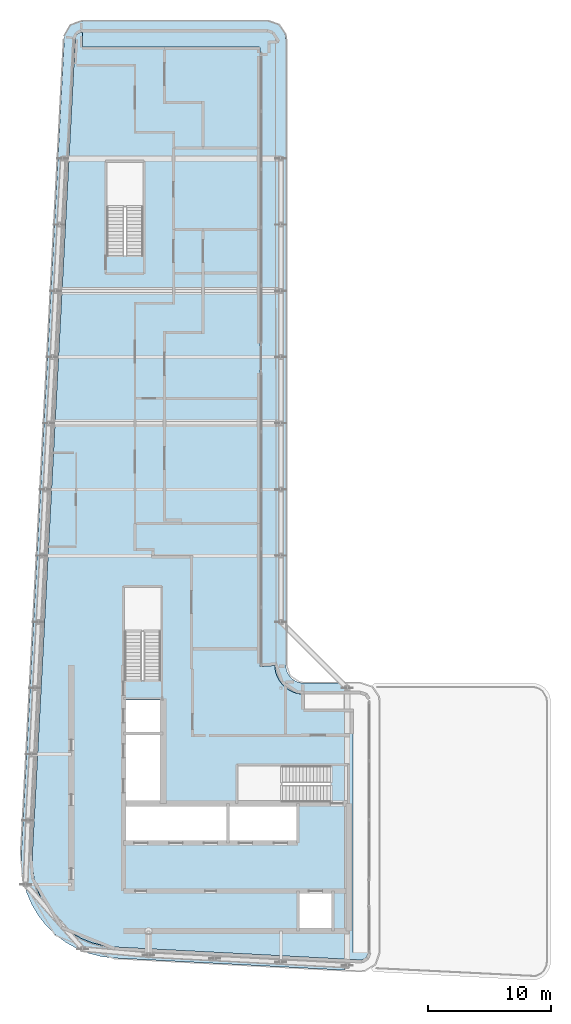
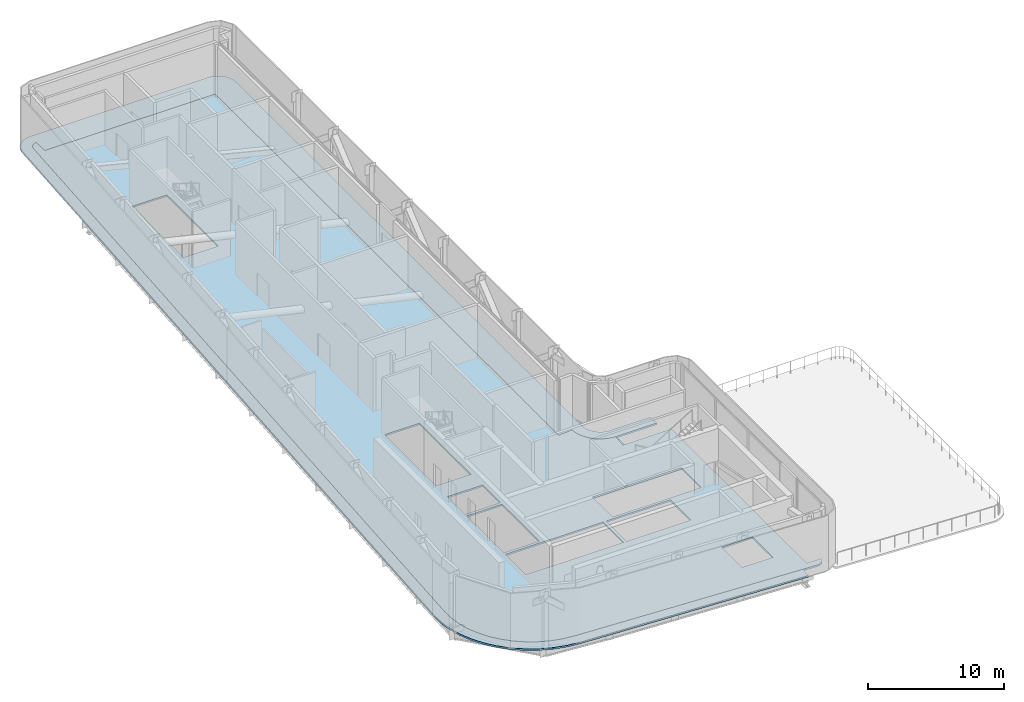
# One storey, part 8 of 18: 2 slabs.
"""IFC4 building model written with IfcOpenShell, lengths in metres."""

from ifc_helpers import new_model, si_unit, direction, frame, origin, place, context, subcontext, project, spatial, polyline, outline, extrude, material, layer, layer_set, type_object, element, save


model = new_model("IFC4")

# Units and contexts
model_context = context("Model", 3, precision=1e-05, world=origin(), true_north=direction((0.0, 1.0)))
body_context = subcontext(model_context, "Body", "Model", "MODEL_VIEW")
ifc_project = project(units=[si_unit("LENGTHUNIT", "METRE"), si_unit("AREAUNIT", "SQUARE_METRE"), si_unit("VOLUMEUNIT", "CUBIC_METRE"), si_unit("PLANEANGLEUNIT", "RADIAN"), si_unit("MASSUNIT", "GRAM", prefix="KILO")], contexts=[model_context])

# Site, building, storey
site_placement = place(None, origin())
site = spatial("IfcSite", under=ifc_project, at=site_placement, CompositionType="ELEMENT")
building_placement = place(site_placement, origin())
building = spatial("IfcBuilding", under=site, at=building_placement, Name="Kheshtan School and Residences Tower", CompositionType="ELEMENT")
storey_placement = place(building_placement, frame((0.0, 0.0, 333.199951171875)))
storey = spatial("IfcBuildingStorey", under=building, at=storey_placement, Name="L78", CompositionType="ELEMENT", Elevation=333.199951171875)

# Slabs
ifc_material = material(Name="Concrete C40/50", Category="concrete")
ifc_layer_1 = layer(ifc_material, 0.14990234375)
ifc_layer_set_1 = layer_set([ifc_layer_1], Name="Floor slab 150 Concrete C40/50")
slab_type_1 = type_object("IfcSlabType", Name="Floor slab 150 Concrete C40/50", PredefinedType="FLOOR", material=ifc_layer_set_1)
slab_1_placement = place(storey_placement, frame((0.0, 0.0, -0.14990234375)))
element("IfcSlab", 1, at=slab_1_placement, inside=storey, type_object=slab_type_1, Name="Floor slab L78", PredefinedType="FLOOR", context=body_context, shape_type="SweptSolid", body=[
    extrude(outline(polyline([(30.85693359375, 98.69189453125), (30.888916015625, 98.77001953125), (30.931884765625, 98.840087890625), (30.98291015625, 98.904052734375), (31.04296875, 98.9619140625), (31.10693359375, 99.008056640625), (31.18310546875, 99.047119140625), (31.260986328125, 99.074951171875), (31.341064453125, 99.092041015625), (31.423095703125, 99.097900390625), (31.423095703125, 97.902099609375), (31.423095703125, 97.90087890625), (31.424072265625, 97.89990234375), (31.425048828125, 97.89990234375), (45.85009765625, 97.89990234375), (45.85498046875, 97.89990234375), (45.860107421875, 97.89892578125), (45.864990234375, 97.89794921875), (45.868896484375, 97.89599609375), (45.8740234375, 97.89404296875), (45.8779296875, 97.89208984375), (45.882080078125, 97.888916015625), (45.885009765625, 97.885009765625), (45.888916015625, 97.882080078125), (45.89208984375, 97.8779296875), (45.89404296875, 97.8740234375), (45.89599609375, 97.868896484375), (45.89794921875, 97.864990234375), (45.89892578125, 97.860107421875), (45.89990234375, 97.85498046875), (45.89990234375, 97.85009765625), (45.89990234375, 97.39990234375), (45.89990234375, 47.501953125), (45.89990234375, 47.5009765625), (45.89990234375, 47.429931640625), (45.905029296875, 47.361083984375), (47.10205078125, 47.43994140625), (47.118896484375, 47.18603515625), (47.179931640625, 46.87890625), (47.281005859375, 46.5810546875), (47.419921875, 46.299072265625), (47.593994140625, 46.0390625), (47.801025390625, 45.801025390625), (48.0390625, 45.593994140625), (48.299072265625, 45.419921875), (48.5810546875, 45.281005859375), (48.87890625, 45.179931640625), (49.18603515625, 45.118896484375), (49.43994140625, 45.10205078125), (49.361083984375, 43.905029296875), (49.429931640625, 43.89990234375), (49.5, 43.89990234375), (49.5, 43.90087890625), (49.5009765625, 43.89990234375), (49.501953125, 43.89990234375), (53.449951171875, 43.89990234375), (53.455078125, 43.89990234375), (53.4599609375, 43.89892578125), (53.465087890625, 43.89794921875), (53.468994140625, 43.89599609375), (53.47412109375, 43.89404296875), (53.47802734375, 43.89208984375), (53.48193359375, 43.888916015625), (53.485107421875, 43.885009765625), (53.489013671875, 43.882080078125), (53.491943359375, 43.8779296875), (53.493896484375, 43.8740234375), (53.49609375, 43.868896484375), (53.498046875, 43.864990234375), (53.4990234375, 43.860107421875), (53.5, 43.85498046875), (53.5, 43.85009765625), (53.5, 24.02490234375), (53.5, 24.02392578125), (53.5009765625, 24.02294921875), (53.501953125, 24.02294921875), (54.697998046875, 24.02294921875), (54.69189453125, 23.943115234375), (54.676025390625, 23.863037109375), (54.64892578125, 23.784912109375), (54.612060546875, 23.712890625), (54.568115234375, 23.64990234375), (54.511962890625, 23.590087890625), (54.448974609375, 23.5380859375), (54.381103515625, 23.4951171875), (54.306884765625, 23.4619140625), (54.22802734375, 23.43896484375), (54.14794921875, 23.427001953125), (54.0439453125, 23.425048828125), (54.0380859375, 23.425048828125), (34.056884765625, 24.47802734375), (33.114990234375, 24.590087890625), (32.215087890625, 24.819091796875), (31.35205078125, 25.1630859375), (30.541015625, 25.616943359375), (29.798095703125, 26.172119140625), (29.134033203125, 26.820068359375), (28.55908203125, 27.550048828125), (28.0849609375, 28.345947265625), (27.718017578125, 29.200927734375), (27.466064453125, 30.093994140625), (27.3330078125, 31.013916015625), (27.320068359375, 31.965087890625), (27.320068359375, 31.970947265625), (30.822021484375, 98.5009765625), (30.822998046875, 98.508056640625), (30.8359375, 98.613037109375), (30.85693359375, 98.69189453125)]), holes=[polyline([(51.72509765625, 28.925048828125), (49.125, 28.925048828125), (49.125, 25.925048828125), (51.72509765625, 25.925048828125), (51.72509765625, 28.925048828125)]), polyline([(43.175048828125, 33.074951171875), (43.175048828125, 36.074951171875), (34.875, 36.074951171875), (34.875, 33.074951171875), (43.175048828125, 33.074951171875)]), polyline([(43.425048828125, 36.074951171875), (43.425048828125, 33.074951171875), (48.875, 33.074951171875), (48.875, 36.074951171875), (43.425048828125, 36.074951171875)]), polyline([(51.64990234375, 37.699951171875), (51.64990234375, 39.25), (44.090087890625, 39.25), (44.090087890625, 36.300048828125), (51.639892578125, 36.300048828125), (51.639892578125, 37.699951171875), (51.64990234375, 37.699951171875)]), polyline([(37.875, 41.77490234375), (34.875, 41.77490234375), (34.875, 36.324951171875), (37.875, 36.324951171875), (37.875, 41.77490234375)]), polyline([(37.875, 44.625), (34.875, 44.625), (34.875, 42.02490234375), (37.875, 42.02490234375), (37.875, 44.625)]), polyline([(37.800048828125, 53.81005859375), (34.85009765625, 53.81005859375), (34.85009765625, 46.260009765625), (36.25, 46.260009765625), (36.25, 46.25), (37.800048828125, 46.25), (37.800048828125, 53.81005859375)]), polyline([(36.35009765625, 88.4599609375), (33.39990234375, 88.4599609375), (33.39990234375, 80.909912109375), (34.800048828125, 80.909912109375), (34.800048828125, 80.89990234375), (36.35009765625, 80.89990234375), (36.35009765625, 88.4599609375)])]), origin(), (0.0, 0.0, 1.0), 0.14990234375),
])
ifc_layer_2 = layer(ifc_material, 0.14990234375)
ifc_layer_set_2 = layer_set([ifc_layer_2], Name="Loggia balcony slab 150 Concrete C40/50")
slab_type_2 = type_object("IfcSlabType", Name="Loggia balcony slab 150 Concrete C40/50", PredefinedType="FLOOR", material=ifc_layer_set_2)
slab_2_placement = place(storey_placement, frame((0.0, 0.0, -0.14990234375)))
element("IfcSlab", 2, at=slab_2_placement, inside=storey, type_object=slab_type_2, Name="Loggia balcony slab L78", PredefinedType="FLOOR", context=body_context, shape_type="SweptSolid", body=[
    extrude(outline(polyline([(28.4580078125, 26.222900390625), (28.45703125, 26.222900390625), (27.81494140625, 27.0390625), (27.281005859375, 27.93798828125), (26.867919921875, 28.89990234375), (26.583984375, 29.90087890625), (26.583984375, 29.906982421875), (26.43408203125, 30.943115234375), (26.419921875, 31.989013671875), (29.925048828125, 98.5791015625), (29.930908203125, 98.625), (29.930908203125, 98.6259765625), (29.930908203125, 98.626953125), (29.929931640625, 98.626953125), (29.929931640625, 98.6279296875), (29.928955078125, 98.6279296875), (29.928955078125, 98.62890625), (29.927978515625, 98.62890625), (29.927978515625, 98.6298828125), (29.927001953125, 98.6298828125), (29.927001953125, 98.631103515625), (29.927001953125, 98.632080078125), (29.945068359375, 98.781005859375), (29.945068359375, 98.781982421875), (29.945068359375, 98.782958984375), (29.946044921875, 98.782958984375), (29.946044921875, 98.783935546875), (29.946044921875, 98.784912109375), (29.946044921875, 98.785888671875), (29.947021484375, 98.785888671875), (29.947021484375, 98.787109375), (29.947998046875, 98.787109375), (29.947998046875, 98.7880859375), (29.948974609375, 98.7880859375), (29.949951171875, 98.7880859375), (29.949951171875, 98.7890625), (29.950927734375, 98.7890625), (29.950927734375, 98.7900390625), (29.950927734375, 98.794921875), (30.0029296875, 98.98388671875), (30.083984375, 99.175048828125), (30.18896484375, 99.35302734375), (30.31201171875, 99.508056640625), (30.31298828125, 99.508056640625), (30.31298828125, 99.509033203125), (30.31396484375, 99.509033203125), (30.31396484375, 99.510009765625), (30.31494140625, 99.510009765625), (30.31494140625, 99.510986328125), (30.31591796875, 99.510986328125), (30.31591796875, 99.511962890625), (30.31689453125, 99.511962890625), (30.31689453125, 99.512939453125), (30.318115234375, 99.512939453125), (30.320068359375, 99.512939453125), (30.321044921875, 99.512939453125), (30.321044921875, 99.513916015625), (30.464111328125, 99.656982421875), (30.465087890625, 99.656982421875), (30.468017578125, 99.656982421875), (30.468994140625, 99.656982421875), (30.468994140625, 99.657958984375), (30.469970703125, 99.657958984375), (30.469970703125, 99.658935546875), (30.470947265625, 99.658935546875), (30.470947265625, 99.659912109375), (30.471923828125, 99.659912109375), (30.471923828125, 99.660888671875), (30.472900390625, 99.660888671875), (30.472900390625, 99.662109375), (30.47412109375, 99.662109375), (30.47412109375, 99.6630859375), (30.635986328125, 99.777099609375), (30.820068359375, 99.873046875), (31.008056640625, 99.943115234375), (31.013916015625, 99.943115234375), (31.217041015625, 99.986083984375), (31.423095703125, 100.0), (46.5, 100.0), (46.696044921875, 99.987060546875), (46.887939453125, 99.948974609375), (46.89404296875, 99.948974609375), (47.073974609375, 99.885986328125), (47.241943359375, 99.801025390625), (47.242919921875, 99.801025390625), (47.24609375, 99.801025390625), (47.2470703125, 99.801025390625), (47.2470703125, 99.802001953125), (47.248046875, 99.802001953125), (47.248046875, 99.802978515625), (47.2490234375, 99.802978515625), (47.2509765625, 99.802978515625), (47.251953125, 99.802978515625), (47.251953125, 99.802001953125), (47.2529296875, 99.802001953125), (47.25390625, 99.802001953125), (47.2548828125, 99.802001953125), (47.2548828125, 99.801025390625), (47.256103515625, 99.801025390625), (47.256103515625, 99.800048828125), (47.257080078125, 99.800048828125), (47.257080078125, 99.799072265625), (47.258056640625, 99.799072265625), (47.258056640625, 99.798095703125), (47.259033203125, 99.798095703125), (47.259033203125, 99.797119140625), (47.4130859375, 99.695068359375), (47.4140625, 99.695068359375), (47.4140625, 99.694091796875), (47.4150390625, 99.694091796875), (47.4150390625, 99.693115234375), (47.416015625, 99.693115234375), (47.416015625, 99.69189453125), (47.4169921875, 99.69189453125), (47.41796875, 99.69189453125), (47.41796875, 99.69091796875), (47.4189453125, 99.69091796875), (47.55908203125, 99.570068359375), (47.55908203125, 99.569091796875), (47.56005859375, 99.569091796875), (47.56005859375, 99.568115234375), (47.56103515625, 99.568115234375), (47.56103515625, 99.56689453125), (47.56201171875, 99.56689453125), (47.56298828125, 99.56689453125), (47.56396484375, 99.56689453125), (47.56689453125, 99.56396484375), (47.56689453125, 99.56298828125), (47.56689453125, 99.56201171875), (47.56689453125, 99.56103515625), (47.568115234375, 99.56103515625), (47.568115234375, 99.56005859375), (47.569091796875, 99.56005859375), (47.569091796875, 99.55908203125), (47.570068359375, 99.55908203125), (47.69091796875, 99.4189453125), (47.69091796875, 99.41796875), (47.69189453125, 99.41796875), (47.69189453125, 99.4169921875), (47.69189453125, 99.416015625), (47.693115234375, 99.416015625), (47.693115234375, 99.4150390625), (47.694091796875, 99.4150390625), (47.694091796875, 99.4140625), (47.695068359375, 99.4140625), (47.695068359375, 99.4130859375), (47.799072265625, 99.257080078125), (47.800048828125, 99.257080078125), (47.800048828125, 99.256103515625), (47.801025390625, 99.256103515625), (47.801025390625, 99.2548828125), (47.802001953125, 99.2548828125), (47.802001953125, 99.25390625), (47.802001953125, 99.2529296875), (47.802001953125, 99.251953125), (47.802978515625, 99.251953125), (47.802978515625, 99.2509765625), (47.802978515625, 99.2490234375), (47.802978515625, 99.248046875), (47.802001953125, 99.248046875), (47.802001953125, 99.2470703125), (47.801025390625, 99.2470703125), (47.801025390625, 99.24609375), (47.801025390625, 99.243896484375), (47.801025390625, 99.242919921875), (47.885986328125, 99.073974609375), (47.948974609375, 98.89404296875), (47.948974609375, 98.887939453125), (47.987060546875, 98.696044921875), (48.0, 98.5), (48.0, 47.5), (48.012939453125, 47.303955078125), (48.051025390625, 47.113037109375), (48.051025390625, 47.10791015625), (48.051025390625, 47.10693359375), (48.114013671875, 46.926025390625), (48.200927734375, 46.75), (48.31005859375, 46.5869140625), (48.43310546875, 46.443115234375), (48.43408203125, 46.443115234375), (48.43408203125, 46.44189453125), (48.43505859375, 46.44189453125), (48.43505859375, 46.44091796875), (48.43603515625, 46.44091796875), (48.43603515625, 46.43994140625), (48.43701171875, 46.43994140625), (48.43701171875, 46.43896484375), (48.43798828125, 46.43896484375), (48.43896484375, 46.43896484375), (48.43896484375, 46.43798828125), (48.43896484375, 46.43701171875), (48.43994140625, 46.43701171875), (48.43994140625, 46.43603515625), (48.44091796875, 46.43603515625), (48.44091796875, 46.43505859375), (48.44189453125, 46.43505859375), (48.44189453125, 46.43408203125), (48.443115234375, 46.43408203125), (48.443115234375, 46.43310546875), (48.5869140625, 46.31005859375), (48.75, 46.200927734375), (48.926025390625, 46.114013671875), (49.10693359375, 46.051025390625), (49.10791015625, 46.051025390625), (49.113037109375, 46.051025390625), (49.303955078125, 46.012939453125), (49.5, 46.0), (52.889892578125, 46.0), (52.89111328125, 46.0), (52.89111328125, 45.9990234375), (52.876953125, 45.863037109375), (52.8759765625, 45.837890625), (52.8759765625, 45.662109375), (52.876953125, 45.636962890625), (52.905029296875, 45.363037109375), (52.908935546875, 45.339111328125), (52.945068359375, 45.1669921875), (52.950927734375, 45.14306640625), (52.950927734375, 45.136962890625), (52.950927734375, 45.135986328125), (52.964111328125, 45.10693359375), (52.964111328125, 45.10107421875), (52.964111328125, 45.10009765625), (52.962890625, 45.10009765625), (49.501953125, 45.10009765625), (49.5009765625, 45.10009765625), (49.5009765625, 45.09912109375), (49.5, 45.09912109375), (49.5, 45.097900390625), (49.5, 43.90087890625), (49.5, 43.89990234375), (49.4990234375, 43.89990234375), (49.429931640625, 43.89990234375), (49.362060546875, 43.905029296875), (49.361083984375, 43.905029296875), (49.361083984375, 43.906005859375), (49.43994140625, 45.09912109375), (49.43994140625, 45.10009765625), (49.43994140625, 45.10107421875), (49.43896484375, 45.10107421875), (49.43896484375, 45.10205078125), (49.43798828125, 45.10205078125), (49.43701171875, 45.10205078125), (49.18603515625, 45.118896484375), (48.87890625, 45.179931640625), (48.873046875, 45.179931640625), (48.5810546875, 45.281005859375), (48.299072265625, 45.419921875), (48.0390625, 45.593994140625), (47.805908203125, 45.794921875), (47.805908203125, 45.7958984375), (47.804931640625, 45.7958984375), (47.804931640625, 45.797119140625), (47.803955078125, 45.797119140625), (47.803955078125, 45.798095703125), (47.802978515625, 45.798095703125), (47.802978515625, 45.799072265625), (47.802001953125, 45.799072265625), (47.802001953125, 45.800048828125), (47.802001953125, 45.801025390625), (47.801025390625, 45.801025390625), (47.801025390625, 45.802001953125), (47.800048828125, 45.802001953125), (47.799072265625, 45.802001953125), (47.799072265625, 45.802978515625), (47.798095703125, 45.802978515625), (47.798095703125, 45.803955078125), (47.797119140625, 45.803955078125), (47.797119140625, 45.804931640625), (47.7958984375, 45.804931640625), (47.7958984375, 45.805908203125), (47.794921875, 45.805908203125), (47.593994140625, 46.0390625), (47.419921875, 46.299072265625), (47.281005859375, 46.5810546875), (47.179931640625, 46.873046875), (47.179931640625, 46.87890625), (47.118896484375, 47.18603515625), (47.10205078125, 47.43701171875), (47.10205078125, 47.43798828125), (47.10205078125, 47.43896484375), (47.10107421875, 47.43896484375), (47.10107421875, 47.43994140625), (47.10009765625, 47.43994140625), (47.09912109375, 47.43994140625), (45.906005859375, 47.361083984375), (45.905029296875, 47.361083984375), (45.905029296875, 47.362060546875), (45.89990234375, 47.429931640625), (45.89990234375, 97.39111328125), (45.89990234375, 97.39208984375), (45.89892578125, 97.39208984375), (45.89892578125, 97.39306640625), (45.89794921875, 97.39306640625), (45.89794921875, 97.39404296875), (45.89697265625, 97.39404296875), (45.89599609375, 97.39404296875), (45.89599609375, 97.39501953125), (45.89599609375, 97.39599609375), (45.89501953125, 97.39599609375), (45.89501953125, 97.39697265625), (45.89404296875, 97.39697265625), (45.89404296875, 97.39794921875), (45.89306640625, 97.39794921875), (45.89208984375, 97.39794921875), (45.89208984375, 97.39892578125), (45.89111328125, 97.39892578125), (45.889892578125, 97.39990234375), (45.887939453125, 97.402099609375), (45.887939453125, 97.403076171875), (45.887939453125, 97.404052734375), (45.885986328125, 97.406982421875), (45.885986328125, 97.407958984375), (45.885009765625, 97.407958984375), (45.885009765625, 97.408935546875), (45.884033203125, 97.408935546875), (45.884033203125, 97.409912109375), (45.883056640625, 97.409912109375), (45.883056640625, 97.410888671875), (45.882080078125, 97.410888671875), (45.882080078125, 97.412109375), (45.882080078125, 97.416015625), (45.882080078125, 97.4169921875), (45.881103515625, 97.4169921875), (45.881103515625, 97.41796875), (45.881103515625, 97.4208984375), (45.881103515625, 97.422119140625), (45.8798828125, 97.422119140625), (45.8798828125, 97.423095703125), (45.8798828125, 97.85498046875), (45.8798828125, 97.85595703125), (45.87890625, 97.85595703125), (45.87890625, 97.85693359375), (45.87890625, 97.85791015625), (45.87890625, 97.85888671875), (45.8779296875, 97.85888671875), (45.8779296875, 97.860107421875), (45.8779296875, 97.861083984375), (45.876953125, 97.861083984375), (45.876953125, 97.862060546875), (45.876953125, 97.863037109375), (45.876953125, 97.864013671875), (45.8759765625, 97.864013671875), (45.8759765625, 97.864990234375), (45.8759765625, 97.865966796875), (45.875, 97.865966796875), (45.875, 97.866943359375), (45.875, 97.867919921875), (45.8740234375, 97.867919921875), (45.8740234375, 97.868896484375), (45.873046875, 97.868896484375), (45.873046875, 97.8701171875), (45.8720703125, 97.8701171875), (45.8720703125, 97.87109375), (45.87109375, 97.87109375), (45.87109375, 97.8720703125), (45.8701171875, 97.8720703125), (45.8701171875, 97.873046875), (45.868896484375, 97.873046875), (45.867919921875, 97.873046875), (45.867919921875, 97.8740234375), (45.866943359375, 97.8740234375), (45.866943359375, 97.875), (45.865966796875, 97.875), (45.865966796875, 97.8759765625), (45.864990234375, 97.8759765625), (45.864013671875, 97.8759765625), (45.864013671875, 97.876953125), (45.863037109375, 97.876953125), (45.862060546875, 97.876953125), (45.861083984375, 97.876953125), (45.861083984375, 97.8779296875), (45.860107421875, 97.8779296875), (45.85888671875, 97.8779296875), (45.85888671875, 97.87890625), (45.85791015625, 97.87890625), (45.85693359375, 97.87890625), (45.85595703125, 97.87890625), (45.85595703125, 97.8798828125), (45.85498046875, 97.8798828125), (31.446044921875, 97.8798828125), (31.445068359375, 97.8798828125), (31.445068359375, 97.881103515625), (31.444091796875, 97.881103515625), (31.44091796875, 97.881103515625), (31.43994140625, 97.881103515625), (31.43994140625, 97.882080078125), (31.43896484375, 97.882080078125), (31.43701171875, 97.882080078125), (31.43603515625, 97.882080078125), (31.43603515625, 97.883056640625), (31.43505859375, 97.883056640625), (31.43408203125, 97.883056640625), (31.43310546875, 97.883056640625), (31.43310546875, 97.884033203125), (31.431884765625, 97.884033203125), (31.431884765625, 97.885009765625), (31.430908203125, 97.885009765625), (31.430908203125, 97.885986328125), (31.429931640625, 97.885986328125), (31.428955078125, 97.885986328125), (31.428955078125, 97.886962890625), (31.427978515625, 97.886962890625), (31.427001953125, 97.886962890625), (31.427001953125, 97.887939453125), (31.426025390625, 97.887939453125), (31.425048828125, 97.887939453125), (31.423095703125, 97.889892578125), (31.422119140625, 97.89111328125), (31.419921875, 97.89306640625), (31.41796875, 97.89501953125), (31.4140625, 97.89892578125), (31.4130859375, 97.89990234375), (31.410888671875, 97.902099609375), (31.410888671875, 97.903076171875), (31.410888671875, 97.904052734375), (31.408935546875, 97.906982421875), (31.408935546875, 97.907958984375), (31.407958984375, 97.907958984375), (31.407958984375, 97.908935546875), (31.406982421875, 97.908935546875), (31.406982421875, 97.909912109375), (31.405029296875, 97.9130859375), (31.405029296875, 97.916015625), (31.405029296875, 97.9169921875), (31.404052734375, 97.9169921875), (31.404052734375, 97.91796875), (31.404052734375, 97.9208984375), (31.404052734375, 97.922119140625), (31.403076171875, 97.922119140625), (31.403076171875, 97.923095703125), (31.403076171875, 99.076904296875), (31.403076171875, 99.077880859375), (31.404052734375, 99.077880859375), (31.404052734375, 99.0791015625), (31.404052734375, 99.08203125), (31.404052734375, 99.0830078125), (31.405029296875, 99.0830078125), (31.405029296875, 99.083984375), (31.405029296875, 99.0869140625), (31.406982421875, 99.090087890625), (31.406982421875, 99.091064453125), (31.407958984375, 99.091064453125), (31.407958984375, 99.092041015625), (31.408935546875, 99.092041015625), (31.408935546875, 99.093017578125), (31.408935546875, 99.094970703125), (31.408935546875, 99.095947265625), (31.407958984375, 99.095947265625), (31.407958984375, 99.096923828125), (31.406982421875, 99.096923828125), (31.406005859375, 99.096923828125), (31.341064453125, 99.092041015625), (31.261962890625, 99.074951171875), (31.257080078125, 99.074951171875), (31.256103515625, 99.074951171875), (31.18310546875, 99.047119140625), (31.10693359375, 99.008056640625), (31.048095703125, 98.967041015625), (31.048095703125, 98.966064453125), (31.047119140625, 98.966064453125), (31.047119140625, 98.965087890625), (31.0458984375, 98.965087890625), (31.0458984375, 98.964111328125), (31.044921875, 98.964111328125), (31.044921875, 98.962890625), (31.0439453125, 98.962890625), (31.0439453125, 98.9619140625), (31.04296875, 98.9619140625), (31.04296875, 98.9609375), (30.986083984375, 98.904052734375), (30.985107421875, 98.904052734375), (30.98291015625, 98.904052734375), (30.98193359375, 98.904052734375), (30.98193359375, 98.903076171875), (30.98095703125, 98.903076171875), (30.98095703125, 98.902099609375), (30.97998046875, 98.902099609375), (30.97998046875, 98.90087890625), (30.97900390625, 98.90087890625), (30.97900390625, 98.89990234375), (30.97802734375, 98.89990234375), (30.97802734375, 98.89892578125), (30.97705078125, 98.89892578125), (30.931884765625, 98.840087890625), (30.888916015625, 98.77001953125), (30.85693359375, 98.69189453125), (30.8359375, 98.618896484375), (30.8359375, 98.617919921875), (30.8359375, 98.613037109375), (30.822021484375, 98.5009765625), (27.320068359375, 31.970947265625), (27.3330078125, 31.013916015625), (27.466064453125, 30.093994140625), (27.466064453125, 30.089111328125), (27.466064453125, 30.087890625), (27.718017578125, 29.200927734375), (28.0849609375, 28.345947265625), (28.55908203125, 27.550048828125), (29.1279296875, 26.824951171875), (29.12890625, 26.824951171875), (29.12890625, 26.823974609375), (29.1298828125, 26.823974609375), (29.1298828125, 26.822998046875), (29.131103515625, 26.822998046875), (29.131103515625, 26.822021484375), (29.132080078125, 26.822021484375), (29.132080078125, 26.821044921875), (29.133056640625, 26.821044921875), (29.133056640625, 26.820068359375), (29.134033203125, 26.820068359375), (29.136962890625, 26.820068359375), (29.137939453125, 26.820068359375), (29.138916015625, 26.820068359375), (29.7958984375, 26.173095703125), (29.7958984375, 26.172119140625), (29.797119140625, 26.172119140625), (29.798095703125, 26.172119140625), (29.799072265625, 26.172119140625), (29.799072265625, 26.1708984375), (29.800048828125, 26.1708984375), (29.800048828125, 26.169921875), (29.801025390625, 26.169921875), (29.801025390625, 26.1689453125), (29.802001953125, 26.1689453125), (29.802001953125, 26.16796875), (29.802978515625, 26.16796875), (29.802978515625, 26.1669921875), (30.541015625, 25.616943359375), (31.35205078125, 25.1630859375), (32.2099609375, 24.819091796875), (32.2109375, 24.819091796875), (32.216064453125, 24.819091796875), (33.114990234375, 24.590087890625), (34.06591796875, 24.47705078125), (52.927001953125, 23.48291015625), (52.927978515625, 23.48291015625), (52.927978515625, 23.48193359375), (52.927978515625, 23.47998046875), (52.926025390625, 23.47705078125), (52.87890625, 23.322021484375), (52.87890625, 23.321044921875), (52.87890625, 23.31494140625), (52.873046875, 23.291015625), (52.822998046875, 23.01904296875), (52.820068359375, 22.993896484375), (52.805908203125, 22.820068359375), (52.804931640625, 22.794921875), (52.80908203125, 22.590087890625), (52.80908203125, 22.589111328125), (52.80810546875, 22.589111328125), (33.989013671875, 23.580078125), (33.943115234375, 23.5859375), (33.94189453125, 23.5859375), (33.94091796875, 23.5859375), (33.94091796875, 23.5849609375), (33.93994140625, 23.5849609375), (33.93994140625, 23.583984375), (33.93896484375, 23.583984375), (33.93896484375, 23.5830078125), (33.93798828125, 23.5830078125), (33.93798828125, 23.58203125), (33.93701171875, 23.58203125), (33.93603515625, 23.58203125), (32.952880859375, 23.697998046875), (32.951904296875, 23.697998046875), (32.950927734375, 23.697998046875), (32.950927734375, 23.698974609375), (32.949951171875, 23.698974609375), (32.948974609375, 23.698974609375), (32.947998046875, 23.698974609375), (32.947998046875, 23.699951171875), (32.947021484375, 23.699951171875), (32.947021484375, 23.700927734375), (32.946044921875, 23.700927734375), (32.946044921875, 23.701904296875), (32.946044921875, 23.702880859375), (32.946044921875, 23.7041015625), (32.945068359375, 23.7041015625), (32.945068359375, 23.705078125), (32.944091796875, 23.705078125), (32.943115234375, 23.705078125), (31.93603515625, 23.9609375), (31.929931640625, 23.9609375), (30.964111328125, 24.34912109375), (30.051025390625, 24.860107421875), (29.218017578125, 25.47998046875), (29.218017578125, 25.48095703125), (29.217041015625, 25.48095703125), (29.217041015625, 25.48193359375), (29.216064453125, 25.48193359375), (29.216064453125, 25.48291015625), (29.215087890625, 25.48291015625), (29.215087890625, 25.48388671875), (29.214111328125, 25.48388671875), (29.214111328125, 25.485107421875), (29.212890625, 25.485107421875), (29.212890625, 25.486083984375), (29.2119140625, 25.486083984375), (29.208984375, 25.486083984375), (29.2080078125, 25.486083984375), (29.20703125, 25.486083984375), (28.466064453125, 26.217041015625), (28.466064453125, 26.218017578125), (28.465087890625, 26.218017578125), (28.462890625, 26.218017578125), (28.4619140625, 26.218017578125), (28.4619140625, 26.218994140625), (28.4609375, 26.218994140625), (28.4609375, 26.219970703125), (28.4599609375, 26.219970703125), (28.4599609375, 26.220947265625), (28.458984375, 26.220947265625), (28.458984375, 26.221923828125), (28.4580078125, 26.221923828125), (28.4580078125, 26.222900390625)])), origin(), (0.0, 0.0, 1.0), 0.14990234375),
])

save(model, "model.ifc")
